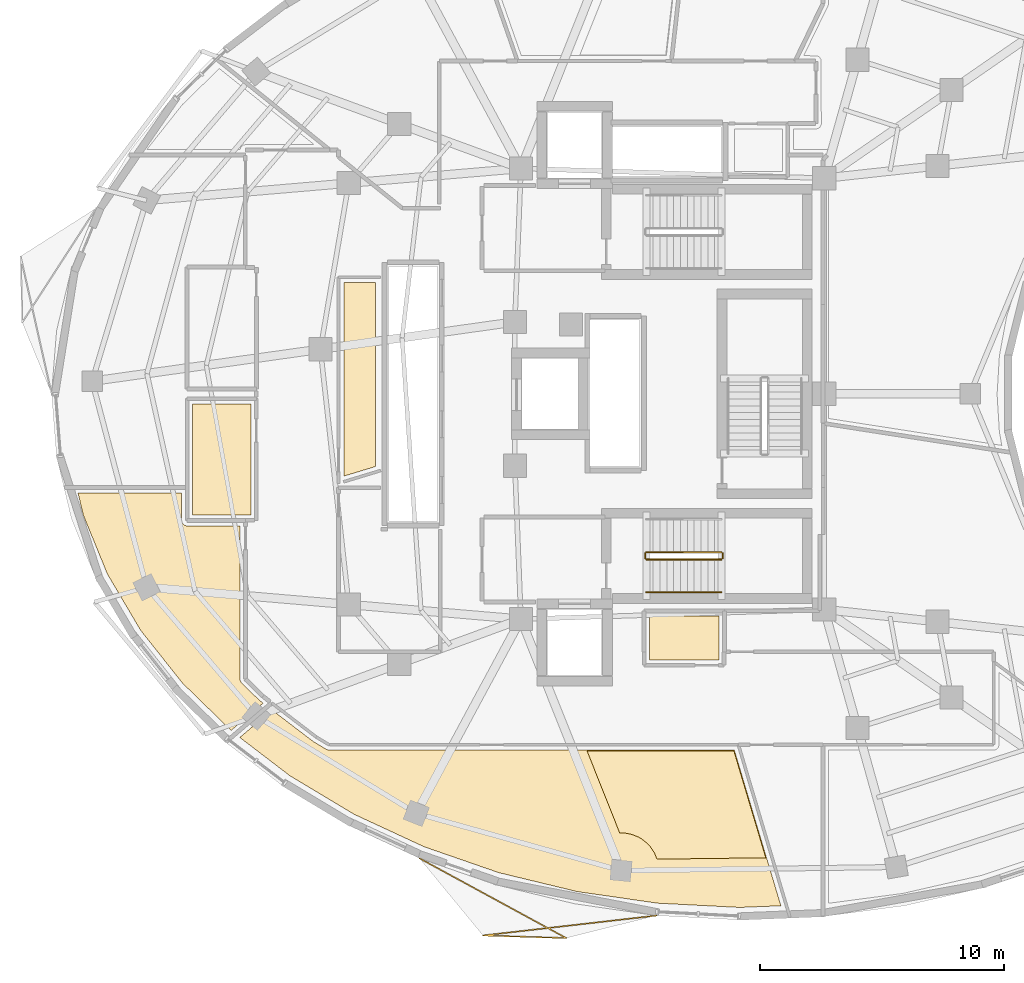
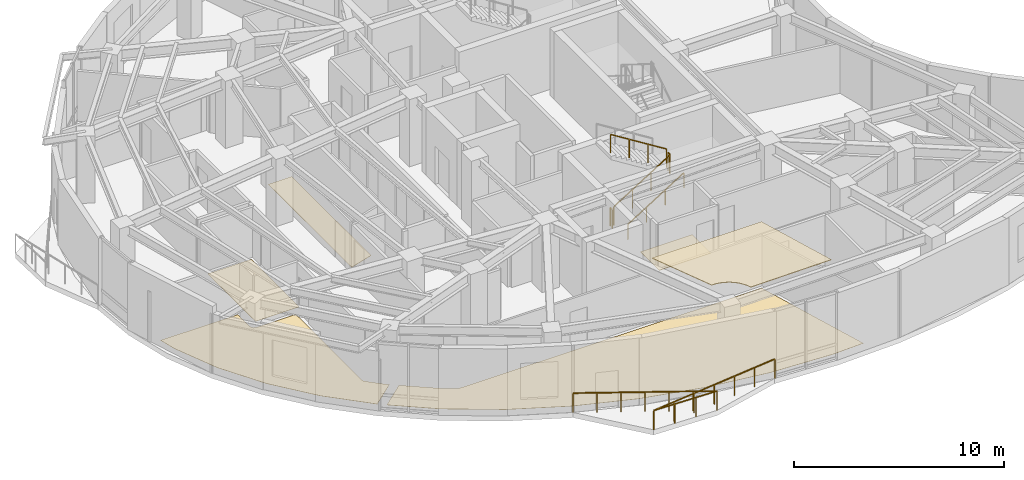
# One storey, part 12 of 14: 6 coverings, 6 railings.
"""IFC4 building model written with IfcOpenShell, lengths in metres."""

from ifc_helpers import new_model, si_unit, direction, frame, origin, origin_2d, place, context, subcontext, project, spatial, polyline, rectangle, outline, extrude, material, layer, layer_set, type_object, element, save


model = new_model("IFC4")

# Units and contexts
model_context = context("Model", 3, precision=1e-05, world=origin(), true_north=direction((0.0, 1.0)))
body_context = subcontext(model_context, "Body", "Model", "MODEL_VIEW")
ifc_project = project(units=[si_unit("LENGTHUNIT", "METRE"), si_unit("AREAUNIT", "SQUARE_METRE"), si_unit("VOLUMEUNIT", "CUBIC_METRE"), si_unit("PLANEANGLEUNIT", "RADIAN"), si_unit("MASSUNIT", "GRAM", prefix="KILO")], contexts=[model_context])

# Site, building, storey
site_placement = place(None, origin())
site = spatial("IfcSite", under=ifc_project, at=site_placement, CompositionType="ELEMENT")
building_placement = place(site_placement, origin())
building = spatial("IfcBuilding", under=site, at=building_placement, Name="Korentha Bioscience Tower", CompositionType="ELEMENT")
storey_placement = place(building_placement, frame((0.0, 0.0, 247.800048828125)))
storey = spatial("IfcBuildingStorey", under=building, at=storey_placement, Name="L57", CompositionType="ELEMENT", Elevation=247.800048828125)

# Railings
ifc_material_1 = material(Name="Stainless Steel 304", Category="steel")
railing_type_1 = type_object("IfcRailingType", Name="Brushed Stainless Stair Handrail 900", PredefinedType="HANDRAIL", material=ifc_material_1)
railing_1_placement = place(storey_placement, frame((30.25, 18.85009765625, 0.175048828125)))
element("IfcRailing", 1, at=railing_1_placement, inside=storey, type_object=railing_type_1, Name="L57 ST-2 stair handrail 1", PredefinedType="HANDRAIL", context=body_context, shape_type="SweptSolid", body=[
    extrude(rectangle(XDim=0.048095703125, YDim=0.048095703125, at=origin_2d()), frame((0.0, 0.0, 0.8759765625), z_axis=(0.848028513186, 0.0, 0.529950602248), x_axis=(0.0, 1.0, 0.0)), (0.0, 0.0, 1.0), 3.632080078125),
    extrude(rectangle(XDim=0.0419921875, YDim=0.0419921875, at=origin_2d()), origin(), (0.0, 0.0, 1.0), 0.851806640625),
    extrude(rectangle(XDim=0.0419921875, YDim=0.0419921875, at=origin_2d()), frame((1.026611328125, 0.0, 0.6416015625)), (0.0, 0.0, 1.0), 0.851806640625),
    extrude(rectangle(XDim=0.0419921875, YDim=0.0419921875, at=origin_2d()), frame((2.053466796875, 0.0, 1.283203125)), (0.0, 0.0, 1.0), 0.851806640625),
    extrude(rectangle(XDim=0.0419921875, YDim=0.0419921875, at=origin_2d()), frame((3.080078125, 0.0, 1.9248046875)), (0.0, 0.0, 1.0), 0.851806640625),
])
ifc_material_2 = material(Name="Laminated Tempered Safety Glass", Category="glass")
railing_type_2 = type_object("IfcRailingType", Name="Laminated Glass Balcony Guardrail 1150", PredefinedType="BALUSTRADE", material=ifc_material_2)
railing_2_placement = place(storey_placement, frame((20.932373046875, 7.93359375, 0.0)))
element("IfcRailing", 2, at=railing_2_placement, inside=storey, type_object=railing_type_2, Name="L57 Balcony Guardrail 03", PredefinedType="BALUSTRADE", context=body_context, shape_type="SweptSolid", body=[
    extrude(rectangle(XDim=0.048095703125, YDim=0.048095703125, at=origin_2d()), frame((0.0, 0.0, 1.1259765625), z_axis=(0.878700770514, -0.477372973573, 0.0), x_axis=(0.477372973573, 0.878700770514, 0.0)), (0.0, 0.0, 1.0), 6.86083984375),
    extrude(rectangle(XDim=0.048095703125, YDim=0.048095703125, at=origin_2d()), frame((6.028564453125, -3.275146484375, 1.1259765625), z_axis=(-0.99951235426, 0.031225849584, 0.0), x_axis=(-0.031225849584, -0.99951235426, 0.0)), (0.0, 0.0, 1.0), 3.424560546875),
    extrude(rectangle(XDim=0.048095703125, YDim=0.048095703125, at=origin_2d()), frame((2.605712890625, -3.168212890625, 1.1259765625), z_axis=(0.993484180535, 0.113970097075, 0.0), x_axis=(-0.113970097075, 0.993484180535, 0.0)), (0.0, 0.0, 1.0), 7.169677734375),
    extrude(rectangle(XDim=0.0419921875, YDim=0.0419921875, at=origin_2d()), origin(), (0.0, 0.0, 1.0), 1.101806640625),
    extrude(rectangle(XDim=0.0419921875, YDim=0.0419921875, at=origin_2d()), frame((1.0048828125, -0.5458984375, 0.0)), (0.0, 0.0, 1.0), 1.101806640625),
    extrude(rectangle(XDim=0.0419921875, YDim=0.0419921875, at=origin_2d()), frame((2.009521484375, -1.091796875, 0.0)), (0.0, 0.0, 1.0), 1.101806640625),
    extrude(rectangle(XDim=0.0419921875, YDim=0.0419921875, at=origin_2d()), frame((3.01416015625, -1.6376953125, 0.0)), (0.0, 0.0, 1.0), 1.101806640625),
    extrude(rectangle(XDim=0.0419921875, YDim=0.0419921875, at=origin_2d()), frame((4.01904296875, -2.183349609375, 0.0)), (0.0, 0.0, 1.0), 1.101806640625),
    extrude(rectangle(XDim=0.0419921875, YDim=0.0419921875, at=origin_2d()), frame((5.02392578125, -2.729248046875, 0.0)), (0.0, 0.0, 1.0), 1.101806640625),
    extrude(rectangle(XDim=0.0419921875, YDim=0.0419921875, at=origin_2d()), frame((6.028564453125, -3.275146484375, 0.0)), (0.0, 0.0, 1.0), 1.101806640625),
    extrude(rectangle(XDim=0.0419921875, YDim=0.0419921875, at=origin_2d()), frame((4.8876953125, -3.239501953125, 0.0)), (0.0, 0.0, 1.0), 1.101806640625),
    extrude(rectangle(XDim=0.0419921875, YDim=0.0419921875, at=origin_2d()), frame((3.74658203125, -3.203857421875, 0.0)), (0.0, 0.0, 1.0), 1.101806640625),
    extrude(rectangle(XDim=0.0419921875, YDim=0.0419921875, at=origin_2d()), frame((2.605712890625, -3.168212890625, 0.0)), (0.0, 0.0, 1.0), 1.101806640625),
    extrude(rectangle(XDim=0.0419921875, YDim=0.0419921875, at=origin_2d()), frame((3.79296875, -3.031982421875, 0.0)), (0.0, 0.0, 1.0), 1.101806640625),
    extrude(rectangle(XDim=0.0419921875, YDim=0.0419921875, at=origin_2d()), frame((4.97998046875, -2.895751953125, 0.0)), (0.0, 0.0, 1.0), 1.101806640625),
    extrude(rectangle(XDim=0.0419921875, YDim=0.0419921875, at=origin_2d()), frame((6.167236328125, -2.759765625, 0.0)), (0.0, 0.0, 1.0), 1.101806640625),
    extrude(rectangle(XDim=0.0419921875, YDim=0.0419921875, at=origin_2d()), frame((7.3544921875, -2.62353515625, 0.0)), (0.0, 0.0, 1.0), 1.101806640625),
    extrude(rectangle(XDim=0.0419921875, YDim=0.0419921875, at=origin_2d()), frame((8.54150390625, -2.4873046875, 0.0)), (0.0, 0.0, 1.0), 1.101806640625),
    extrude(rectangle(XDim=0.0419921875, YDim=0.0419921875, at=origin_2d()), frame((9.728759765625, -2.35107421875, 0.0)), (0.0, 0.0, 1.0), 1.101806640625),
])

# Covering
ifc_material_3 = material(Name="Antimicrobial Mineral Fibre Board", Category="gypsum")
ifc_layer_1 = layer(ifc_material_3, 0.034912109375, Name="Antimicrobial Mineral Fibre Board")
ifc_layer_set_1 = layer_set([ifc_layer_1], Name="Antimicrobial Mineral Fibre Board (CL-MF35)")
covering_type_1 = type_object("IfcCoveringType", Name="Mineral-Fibre Cleanroom Suspended Ceiling 35", PredefinedType="CEILING", material=ifc_layer_set_1)
covering_1_placement = place(storey_placement, frame((0.0, 0.0, 3.864990234375)))
element("IfcCovering", 3, at=covering_1_placement, inside=storey, type_object=covering_type_1, Name="L57 Principal Investigator Office 03 Acoustic Ceiling", PredefinedType="CEILING", context=body_context, shape_type="SweptSolid", body=[
    extrude(outline(polyline([(35.149658203125, 7.955810546875), (30.686279296875, 7.897705078125), (30.57666015625, 8.159912109375), (30.407958984375, 8.412353515625), (30.3056640625, 8.525146484375), (30.07080078125, 8.718017578125), (29.9404296875, 8.796142578125), (29.65966796875, 8.912353515625), (29.361572265625, 8.9716796875), (29.1533203125, 8.976318359375), (27.81396484375, 12.340087890625), (33.84033203125, 12.340087890625), (35.149658203125, 7.955810546875)])), origin(), (0.0, 0.0, 1.0), 0.034912109375),
])

# Railings
ifc_material_4 = material(Name="Painted Steel S275", Category="steel")
railing_type_3 = type_object("IfcRailingType", Name="Painted Steel Stair Well Guardrail 1100", PredefinedType="GUARDRAIL", material=ifc_material_4)
railing_3_placement = place(storey_placement, frame((30.25, 20.199951171875, 0.175048828125)))
element("IfcRailing", 4, at=railing_3_placement, inside=storey, type_object=railing_type_3, Name="L57 ST-2 stair guard 1", PredefinedType="GUARDRAIL", context=body_context, shape_type="SweptSolid", body=[
    extrude(rectangle(XDim=0.048095703125, YDim=0.048095703125, at=origin_2d()), frame((0.0, 0.0, 1.076171875), z_axis=(0.848028513186, 0.0, 0.529950602248), x_axis=(0.0, 1.0, 0.0)), (0.0, 0.0, 1.0), 3.632080078125),
    extrude(rectangle(XDim=0.0419921875, YDim=0.0419921875, at=origin_2d()), origin(), (0.0, 0.0, 1.0), 1.052001953125),
    extrude(rectangle(XDim=0.0419921875, YDim=0.0419921875, at=origin_2d()), frame((1.026611328125, 0.0, 0.6416015625)), (0.0, 0.0, 1.0), 1.052001953125),
    extrude(rectangle(XDim=0.0419921875, YDim=0.0419921875, at=origin_2d()), frame((2.053466796875, 0.0, 1.283203125)), (0.0, 0.0, 1.0), 1.052001953125),
    extrude(rectangle(XDim=0.0419921875, YDim=0.0419921875, at=origin_2d()), frame((3.080078125, 0.0, 1.9248046875)), (0.0, 0.0, 1.0), 1.052001953125),
])
railing_4_placement = place(storey_placement, frame((33.3798828125, 20.25, 2.099853515625)))
element("IfcRailing", 5, at=railing_4_placement, inside=storey, type_object=railing_type_3, Name="L57 ST-2 stair guard 2", PredefinedType="GUARDRAIL", context=body_context, shape_type="SweptSolid", body=[
    extrude(rectangle(XDim=0.048095703125, YDim=0.048095703125, at=origin_2d()), frame((0.0, 0.0, 1.076171875), z_axis=(0.0, 1.0, 0.0), x_axis=(-1.0, 0.0, 0.0)), (0.0, 0.0, 1.0), 0.199951171875),
    extrude(rectangle(XDim=0.0419921875, YDim=0.0419921875, at=origin_2d()), origin(), (0.0, 0.0, 1.0), 1.052001953125),
    extrude(rectangle(XDim=0.0419921875, YDim=0.0419921875, at=origin_2d()), frame((0.0, 0.199951171875, 0.0)), (0.0, 0.0, 1.0), 1.052001953125),
])
railing_5_placement = place(storey_placement, frame((33.330078125, 20.5, 2.27490234375)))
element("IfcRailing", 6, at=railing_5_placement, inside=storey, type_object=railing_type_3, Name="L57 ST-2 stair guard 3", PredefinedType="GUARDRAIL", context=body_context, shape_type="SweptSolid", body=[
    extrude(rectangle(XDim=0.048095703125, YDim=0.048095703125, at=origin_2d()), frame((0.0, 0.0, 1.076171875), z_axis=(-0.847998304005, 0.0, 0.529998940003), x_axis=(0.0, -1.0, 0.0)), (0.0, 0.0, 1.0), 3.632080078125),
    extrude(rectangle(XDim=0.0419921875, YDim=0.0419921875, at=origin_2d()), origin(), (0.0, 0.0, 1.0), 1.052001953125),
    extrude(rectangle(XDim=0.0419921875, YDim=0.0419921875, at=origin_2d()), frame((-1.026611328125, 0.0, 0.6416015625)), (0.0, 0.0, 1.0), 1.052001953125),
    extrude(rectangle(XDim=0.0419921875, YDim=0.0419921875, at=origin_2d()), frame((-2.053466796875, 0.0, 1.283447265625)), (0.0, 0.0, 1.0), 1.052001953125),
    extrude(rectangle(XDim=0.0419921875, YDim=0.0419921875, at=origin_2d()), frame((-3.080078125, 0.0, 1.925048828125)), (0.0, 0.0, 1.0), 1.052001953125),
])
railing_6_placement = place(storey_placement, frame((30.199951171875, 20.25, 0.0)))
element("IfcRailing", 7, at=railing_6_placement, inside=storey, type_object=railing_type_3, Name="L57 ST-2 stair guard 4", PredefinedType="GUARDRAIL", context=body_context, shape_type="SweptSolid", body=[
    extrude(rectangle(XDim=0.048095703125, YDim=0.048095703125, at=origin_2d()), frame((0.0, 0.0, 1.076171875), z_axis=(0.0, 1.0, 0.0), x_axis=(-1.0, 0.0, 0.0)), (0.0, 0.0, 1.0), 0.199951171875),
    extrude(rectangle(XDim=0.0419921875, YDim=0.0419921875, at=origin_2d()), origin(), (0.0, 0.0, 1.0), 1.052001953125),
    extrude(rectangle(XDim=0.0419921875, YDim=0.0419921875, at=origin_2d()), frame((0.0, 0.199951171875, 0.0)), (0.0, 0.0, 1.0), 1.052001953125),
])

# Coverings
ifc_material_5 = material(Name="Chemical-Resistant Epoxy Resin", Category="polymer")
ifc_layer_2 = layer(ifc_material_5, 0.011962890625, Name="Chemical-Resistant Epoxy Resin")
ifc_layer_set_2 = layer_set([ifc_layer_2], Name="Chemical-Resistant Epoxy Resin (FL-EPX)")
covering_type_2 = type_object("IfcCoveringType", Name="Seamless Epoxy Laboratory Flooring 12", PredefinedType="FLOORING", material=ifc_layer_set_2)
covering_2_placement = place(storey_placement, origin())
element("IfcCovering", 8, at=covering_2_placement, inside=storey, type_object=covering_type_2, Name="L57 Core Instrumentation and Gas Store Floor Finish", PredefinedType="FLOORING", context=body_context, shape_type="SweptSolid", body=[
    extrude(outline(polyline([(33.22998046875, 17.8701171875), (33.219970703125, 16.080078125), (30.3798828125, 16.080078125), (30.371337890625, 17.8701171875), (33.22998046875, 17.8701171875)])), origin(), (0.0, 0.0, 1.0), 0.011962890625),
])
covering_3_placement = place(storey_placement, origin())
element("IfcCovering", 9, at=covering_3_placement, inside=storey, type_object=covering_type_2, Name="L57 Reclaimed Bank-1 Cold Freezer Alcove Floor Finish", PredefinedType="FLOORING", context=body_context, shape_type="SweptSolid", body=[
    extrude(outline(polyline([(14.02001953125, 22.030029296875), (11.6201171875, 22.02099609375), (11.6201171875, 26.580078125), (14.02001953125, 26.580078125), (14.02001953125, 22.030029296875)])), origin(), (0.0, 0.0, 1.0), 0.011962890625),
])
covering_4_placement = place(storey_placement, origin())
element("IfcCovering", 10, at=covering_4_placement, inside=storey, type_object=covering_type_2, Name="L57 Biospecimen Archive Store 01 Floor Finish", PredefinedType="FLOORING", context=body_context, shape_type="SweptSolid", body=[
    extrude(outline(polyline([(11.169921875, 22.927978515625), (11.17041015625, 21.7880859375), (11.202880859375, 21.681396484375), (11.2822265625, 21.6025390625), (11.39990234375, 21.570068359375), (13.570068359375, 21.570068359375), (13.572509765625, 15.2578125), (13.593017578125, 15.191162109375), (13.639404296875, 15.126708984375), (14.361083984375, 14.423095703125), (14.516357421875, 14.302490234375), (13.201416015625, 13.179443359375), (11.202392578125, 15.12841796875), (9.483154296875, 17.299560546875), (8.122802734375, 19.60595703125), (7.138671875, 22.01416015625), (6.919189453125, 22.927978515625), (11.169921875, 22.927978515625)])), origin(), (0.0, 0.0, 1.0), 0.011962890625),
])
covering_5_placement = place(storey_placement, origin())
element("IfcCovering", 11, at=covering_5_placement, inside=storey, type_object=covering_type_2, Name="L57 Principal Investigator Office 03 Floor Finish", PredefinedType="FLOORING", context=body_context, shape_type="SweptSolid", body=[
    extrude(outline(polyline([(24.186767578125, 7.34521484375), (21.123779296875, 8.406982421875), (18.25390625, 9.73828125), (15.619140625, 11.319091796875), (13.559814453125, 12.893798828125), (14.88037109375, 14.021484375), (16.5751953125, 12.728515625), (17.1259765625, 12.39794921875), (17.224853515625, 12.370361328125), (33.86279296875, 12.3701171875), (35.769775390625, 5.984619140625), (34.076416015625, 5.9169921875), (30.7109375, 6.0908203125), (27.398193359375, 6.569091796875), (24.186767578125, 7.34521484375)])), origin(), (0.0, 0.0, 1.0), 0.011962890625),
])
covering_6_placement = place(storey_placement, origin())
element("IfcCovering", 12, at=covering_6_placement, inside=storey, type_object=covering_type_2, Name="L57 Senior Scientist Corner Office 13 Floor Finish", PredefinedType="FLOORING", context=body_context, shape_type="SweptSolid", body=[
    extrude(outline(polyline([(17.830078125, 23.621337890625), (17.830078125, 31.570068359375), (19.1201171875, 31.570068359375), (19.1201171875, 24.012939453125), (17.830078125, 23.621337890625)])), origin(), (0.0, 0.0, 1.0), 0.011962890625),
])

save(model, "model.ifc")
